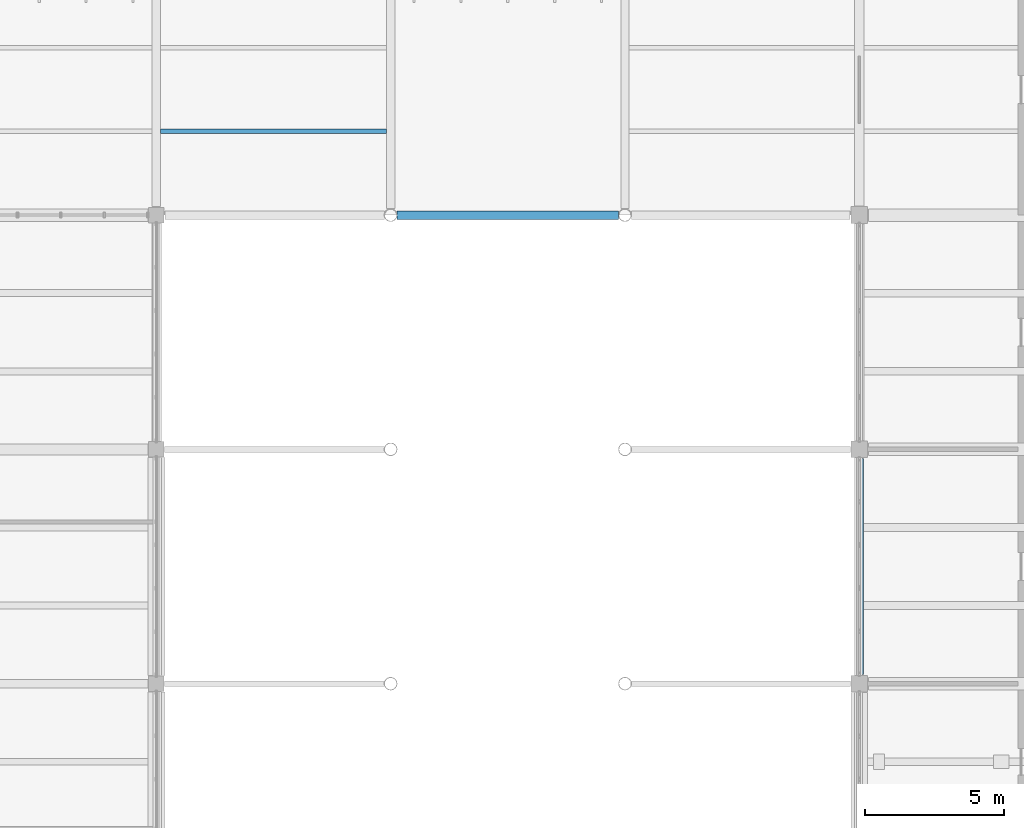
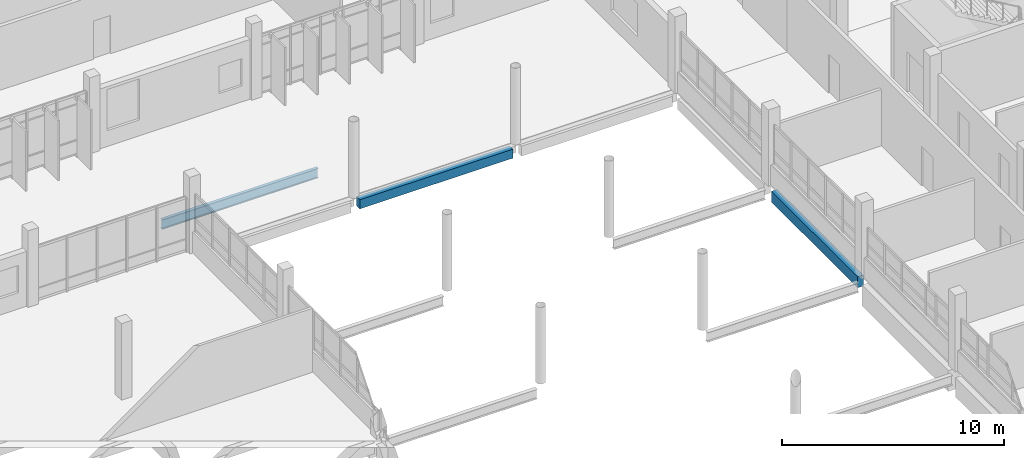
# One storey, part 64 of 130: 3 beams.
"""IFC4 building model written with IfcOpenShell, lengths in metres."""

from ifc_helpers import new_model, si_unit, direction, frame, origin, origin_2d, place, context, subcontext, project, spatial, rectangle, i_section, extrude, material, material_profile, profile_set, type_object, element, save


model = new_model("IFC4")

# Units and contexts
model_context = context("Model", 3, precision=1e-05, world=origin(), true_north=direction((0.0, 1.0)))
body_context = subcontext(model_context, "Body", "Model", "MODEL_VIEW")
ifc_project = project(units=[si_unit("LENGTHUNIT", "METRE"), si_unit("AREAUNIT", "SQUARE_METRE"), si_unit("VOLUMEUNIT", "CUBIC_METRE"), si_unit("PLANEANGLEUNIT", "RADIAN"), si_unit("MASSUNIT", "GRAM", prefix="KILO")], contexts=[model_context])

# Site, building, storey
site_placement = place(None, origin())
site = spatial("IfcSite", under=ifc_project, at=site_placement, CompositionType="ELEMENT")
building_placement = place(site_placement, origin())
building = spatial("IfcBuilding", under=site, at=building_placement, Name="Vireocrest Preparatory School", CompositionType="ELEMENT")
storey_placement = place(building_placement, frame((0.0, 0.0, 9.0)))
storey = spatial("IfcBuildingStorey", under=building, at=storey_placement, Name="L02", CompositionType="ELEMENT", Elevation=9.0)

# Beams
ifc_material_1 = material(Name="Structural steel ASTM A992 Grade 50", Category="steel")
ifc_material_profile_1 = material_profile(ifc_material_1, i_section(OverallWidth=0.166015625, OverallDepth=0.529052734375, WebThickness=0.009765625, FlangeThickness=0.013671875, FilletRadius=0.014892578125, at=origin_2d()), Name="W21X50")
ifc_profile_set_1 = profile_set([ifc_material_profile_1], Name="Structural steel ASTM A992 Grade 50")
beam_type_1 = type_object("IfcBeamType", Name="Pavilion Roof Joist W21X50", PredefinedType="JOIST", material=ifc_profile_set_1)
beam_1_placement = place(storey_placement, frame((67.35009765625, 88.800048828125, -0.484619140625), z_axis=(1.0, 0.0, 0.0), x_axis=(0.0, 1.0, 0.0)))
element("IfcBeam", 1, at=beam_1_placement, inside=storey, type_object=beam_type_1, Name="Secondary Joist SJ1 L02-0946", PredefinedType="JOIST", context=body_context, shape_type="SweptSolid", body=[
    extrude(i_section(OverallWidth=0.166015625, OverallDepth=0.529052734375, WebThickness=0.009765625, FlangeThickness=0.013671875, FilletRadius=0.014892578125, at=origin_2d()), origin(), (0.0, 0.0, 1.0), 8.099853515625),
])
ifc_material_2 = material(Name="Concrete 40 MPa", Category="concrete")
ifc_material_profile_2 = material_profile(ifc_material_2, rectangle(XDim=0.300048828125, YDim=0.60009765625, at=origin_2d()), Name="RC 300x600")
ifc_profile_set_2 = profile_set([ifc_material_profile_2], Name="Concrete 40 MPa")
beam_type_2 = type_object("IfcBeamType", Name="RC Classroom Beam 300x600", PredefinedType="BEAM", material=ifc_profile_set_2)
beam_2_placement = place(storey_placement, frame((92.39990234375, 69.324951171875, -0.60009765625), z_axis=(0.0, 1.0, 0.0), x_axis=(-1.0, 0.0, 0.0)))
element("IfcBeam", 2, at=beam_2_placement, inside=storey, type_object=beam_type_2, Name="Primary Girder B03 L02-0842", PredefinedType="BEAM", context=body_context, shape_type="SweptSolid", body=[
    extrude(rectangle(XDim=0.300048828125, YDim=0.60009765625, at=origin_2d()), origin(), (0.0, 0.0, 1.0), 7.75),
])
ifc_material_profile_3 = material_profile(ifc_material_2, rectangle(XDim=0.300048828125, YDim=0.5, at=origin_2d()), Name="RC 300x500")
ifc_profile_set_3 = profile_set([ifc_material_profile_3], Name="Concrete 40 MPa")
beam_type_3 = type_object("IfcBeamType", Name="RC Roof Edge Beam 300x500", PredefinedType="BEAM", material=ifc_profile_set_3)
beam_3_placement = place(storey_placement, frame((75.82861328125, 85.800048828125, -0.469970703125), z_axis=(1.0, 0.0, 0.0), x_axis=(0.0, 1.0, 0.0)))
element("IfcBeam", 3, at=beam_3_placement, inside=storey, type_object=beam_type_3, Name="Primary Girder B01 L02-0751", PredefinedType="BEAM", context=body_context, shape_type="SweptSolid", body=[
    extrude(rectangle(XDim=0.300048828125, YDim=0.5, at=origin_2d()), origin(), (0.0, 0.0, 1.0), 7.94287109375),
])

save(model, "model.ifc")
